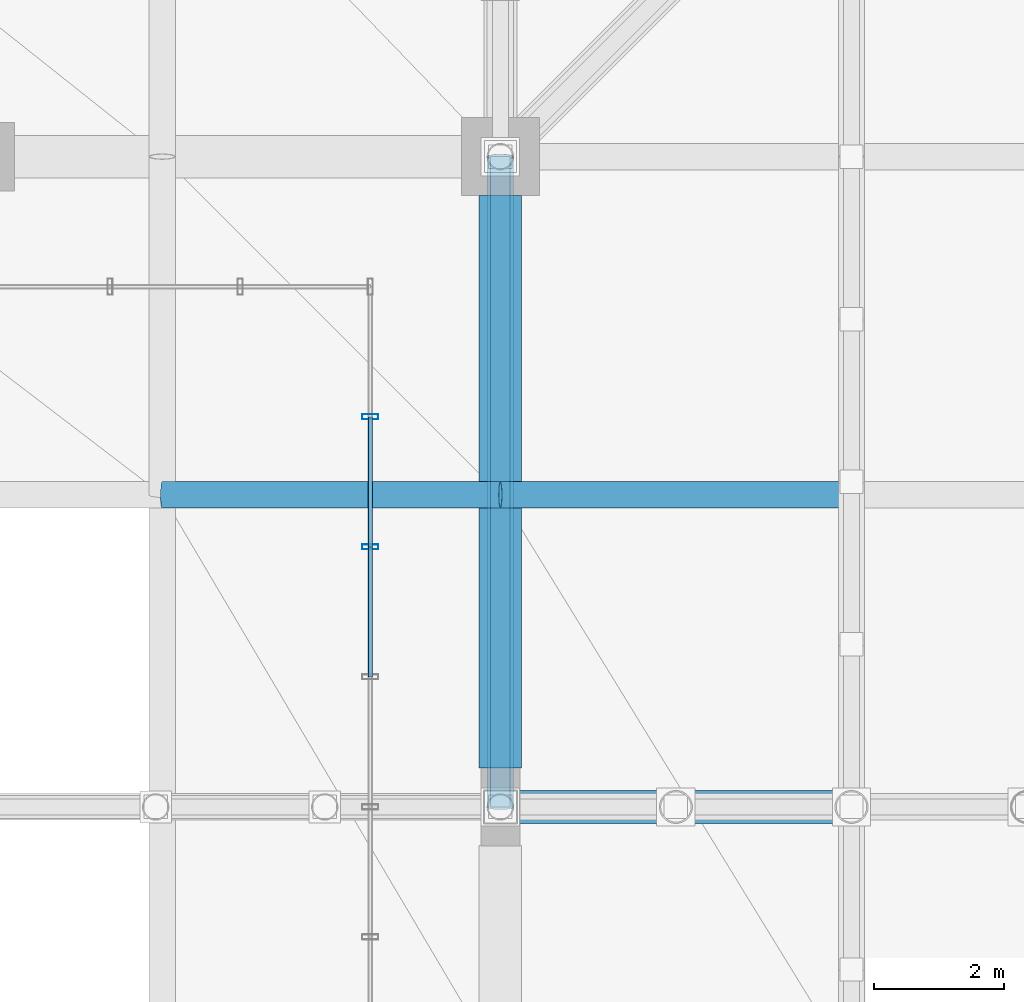
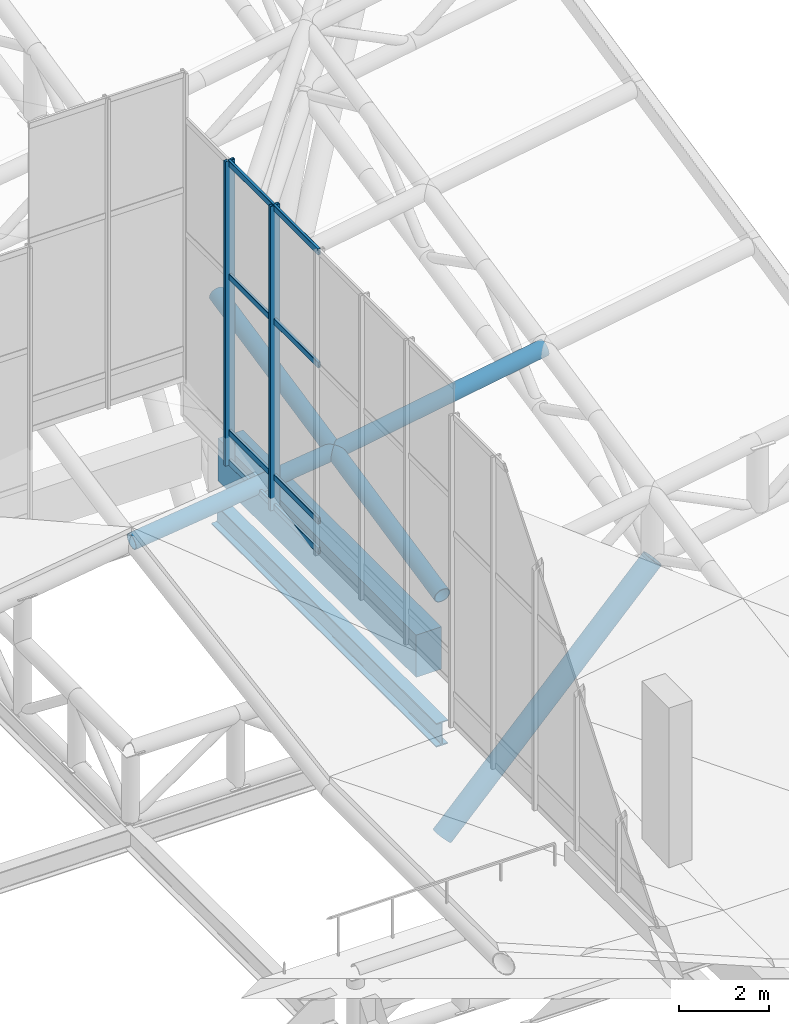
# One storey, part 87 of 137: 14 members, 2 beams, 1 element without a shape of its own.
"""IFC4 building model written with IfcOpenShell, lengths in metres."""

from ifc_helpers import new_model, si_unit, direction, frame, origin, origin_2d, place, context, subcontext, project, spatial, rectangle, hollow_rectangle, hollow_circle, i_section, extrude, material, layer, layer_set, material_profile, profile_set, type_object, element, aggregate, save


model = new_model("IFC4")

# Units and contexts
model_context = context("Model", 3, precision=1e-05, world=origin(), true_north=direction((0.0, 1.0)))
body_context = subcontext(model_context, "Body", "Model", "MODEL_VIEW")
ifc_project = project(units=[si_unit("LENGTHUNIT", "METRE"), si_unit("AREAUNIT", "SQUARE_METRE"), si_unit("VOLUMEUNIT", "CUBIC_METRE"), si_unit("PLANEANGLEUNIT", "RADIAN"), si_unit("MASSUNIT", "GRAM", prefix="KILO")], contexts=[model_context])

# Site, building, storey
site_placement = place(None, origin())
site = spatial("IfcSite", under=ifc_project, at=site_placement, CompositionType="ELEMENT")
building_placement = place(site_placement, origin())
building = spatial("IfcBuilding", under=site, at=building_placement, Name="Khorjan Park Terminus", CompositionType="ELEMENT")
storey_placement = place(building_placement, frame((0.0, 0.0, 11.4)))
storey = spatial("IfcBuildingStorey", under=building, at=storey_placement, Name="L02", CompositionType="ELEMENT", Elevation=11.4)

# Members
ifc_material_1 = material(Name="Steel S355", Category="steel")
ifc_material_profile_1 = material_profile(ifc_material_1, hollow_circle(Radius=0.2032, WallThickness=0.016, at=origin_2d()), Name="CHS 406.4x16")
ifc_profile_set_1 = profile_set([ifc_material_profile_1], Name="Steel S355")
member_type_1 = type_object("IfcMemberType", Name="MB-CH-406", PredefinedType="CHORD", material=ifc_profile_set_1)
member_1_placement = place(storey_placement, frame((130.8, 82.8, 1.6975), z_axis=(0.992378547218, 0.0, 0.123226697681), x_axis=(0.0, 1.0, 0.0)))
element("IfcMember", 1, at=member_1_placement, inside=storey, type_object=member_type_1, Name="Lower wrapping shell rim chord (102)", PredefinedType="CHORD", context=body_context, shape_type="SweptSolid", body=[
    extrude(hollow_circle(Radius=0.2032, WallThickness=0.016, at=origin_2d()), origin(), (0.0, 0.0, 1.0), 5.2399),
])
ifc_material_profile_2 = material_profile(ifc_material_1, hollow_circle(Radius=0.2032, WallThickness=0.016, at=origin_2d()), Name="CHS 406.4x16")
ifc_profile_set_2 = profile_set([ifc_material_profile_2], Name="Steel S355")
member_type_2 = type_object("IfcMemberType", Name="MB-CHE-406", PredefinedType="CHORD", material=ifc_profile_set_2)
member_2_placement = place(storey_placement, frame((136.0, 82.8, 2.3432), z_axis=(0.985913104802, 0.0, 0.167258332465), x_axis=(0.0, 1.0, 0.0)))
element("IfcMember", 2, at=member_2_placement, inside=storey, type_object=member_type_2, Name="Lower wrapping shell rim chord (103)", PredefinedType="CHORD", context=body_context, shape_type="SweptSolid", body=[
    extrude(hollow_circle(Radius=0.2032, WallThickness=0.016, at=origin_2d()), origin(), (0.0, 0.0, 1.0), 5.4772),
])
member_3_placement = place(storey_placement, frame((136.0, 78.0, 1.3242), z_axis=(0.0, 0.978200597368, 0.207662204815), x_axis=(-1.0, 0.0, 0.0)))
element("IfcMember", 3, at=member_3_placement, inside=storey, type_object=member_type_2, Name="Lower wrapping shell rim chord (153)", PredefinedType="CHORD", context=body_context, shape_type="SweptSolid", body=[
    extrude(hollow_circle(Radius=0.2032, WallThickness=0.016, at=origin_2d()), origin(), (0.0, 0.0, 1.0), 10.2229),
])
ifc_material_profile_3 = material_profile(ifc_material_1, hollow_circle(Radius=0.254, WallThickness=0.02, at=origin_2d()), Name="CHS 508x20")
ifc_profile_set_3 = profile_set([ifc_material_profile_3], Name="Steel S355")
member_type_3 = type_object("IfcMemberType", Name="MB-STE-508", PredefinedType="STRUT", material=ifc_profile_set_3)
member_4_placement = place(storey_placement, frame((136.0, 78.0, -5.2), z_axis=(0.691552307244, 0.0, 0.722326384916), x_axis=(0.0, 1.0, 0.0)))
element("IfcMember", 4, at=member_4_placement, inside=storey, type_object=member_type_3, Name="Lower shell W/E raked V-strut STE-51 (E4)", PredefinedType="STRUT", context=body_context, shape_type="SweptSolid", body=[
    extrude(hollow_circle(Radius=0.254, WallThickness=0.02, at=origin_2d()), origin(), (0.0, 0.0, 1.0), 7.8085),
])

# Curtain wall, members
ifc_material_2 = material(Name="Anodized Bronze Aluminium", Category="aluminium")
ifc_layer = layer(ifc_material_2, 0.22)
ifc_layer_set = layer_set([ifc_layer], Name="Anodized Bronze Aluminium")
curtain_wall_type = type_object("IfcCurtainWallType", Name="CW-CONC-CLR", PredefinedType="NOTDEFINED", material=ifc_layer_set)
curtain_wall_placement = place(storey_placement, origin())
curtain_wall = element("IfcCurtainWall", 5, at=curtain_wall_placement, inside=storey, type_object=curtain_wall_type, Name="Unitized curtain wall CW-CL (CW-V2-E-CLR-04)", PredefinedType="NOTDEFINED")
ifc_material_profile_4 = material_profile(ifc_material_2, hollow_rectangle(XDim=0.08, YDim=0.25, WallThickness=0.005, InnerFilletRadius=0.005, OuterFilletRadius=0.01, at=origin_2d()), Name="ALM 80x250x5")
ifc_profile_set_4 = profile_set([ifc_material_profile_4], Name="Anodized Bronze Aluminium")
member_type_4 = type_object("IfcMemberType", Name="ML-ALM-250", PredefinedType="MULLION", material=ifc_profile_set_4)
member_5_placement = place(storey_placement, frame((134.0, 82.0, 1.9528), z_axis=(0.0, 0.0, 1.0), x_axis=(0.0, 1.0, 0.0)))
member_5 = element("IfcMember", 6, at=member_5_placement, type_object=member_type_4, Name="Curtain-wall mullion ML-25 (CW-V2-E-CLR-04-4)", PredefinedType="MULLION", context=body_context, shape_type="SweptSolid", body=[
    extrude(hollow_rectangle(XDim=0.08, YDim=0.25, WallThickness=0.005, InnerFilletRadius=0.005, OuterFilletRadius=0.01, at=origin_2d()), origin(), (0.0, 0.0, 1.0), 8.2632),
])
member_6_placement = place(storey_placement, frame((134.0, 84.0, 1.9528), z_axis=(0.0, 0.0, 1.0), x_axis=(0.0, 1.0, 0.0)))
member_6 = element("IfcMember", 7, at=member_6_placement, type_object=member_type_4, Name="Curtain-wall mullion ML-25 (CW-V2-E-CLR-04-5)", PredefinedType="MULLION", context=body_context, shape_type="SweptSolid", body=[
    extrude(hollow_rectangle(XDim=0.08, YDim=0.25, WallThickness=0.005, InnerFilletRadius=0.005, OuterFilletRadius=0.01, at=origin_2d()), origin(), (0.0, 0.0, 1.0), 8.2632),
])

# Beams
ifc_material_profile_5 = material_profile(ifc_material_1, i_section(OverallWidth=0.3, OverallDepth=0.65, WebThickness=0.016, FlangeThickness=0.031, FilletRadius=0.027, at=origin_2d()), Name="HEB 650")
ifc_profile_set_5 = profile_set([ifc_material_profile_5], Name="Steel S355")
beam_type_1 = type_object("IfcBeamType", Name="SP-HEB650E", PredefinedType="SPANDREL", material=ifc_profile_set_5)
beam_1_placement = place(storey_placement, frame((136.0, 78.0, -2.425), z_axis=(0.0, 1.0, 0.0), x_axis=(-1.0, 0.0, 0.0)))
element("IfcBeam", 8, at=beam_1_placement, inside=storey, type_object=beam_type_1, Name="Lower shell truss support girder SP-E65 (Y45)", PredefinedType="SPANDREL", context=body_context, shape_type="SweptSolid", body=[
    extrude(i_section(OverallWidth=0.3, OverallDepth=0.65, WebThickness=0.016, FlangeThickness=0.031, FilletRadius=0.027, at=origin_2d()), origin(), (0.0, 0.0, 1.0), 10.0),
])
ifc_material_3 = material(Name="Concrete C50/60", Category="concrete")
ifc_material_profile_6 = material_profile(ifc_material_3, rectangle(XDim=0.65, YDim=1.15, at=origin_2d()), Name="RC 650x1150")
ifc_profile_set_6 = profile_set([ifc_material_profile_6], Name="Concrete C50/60")
beam_type_2 = type_object("IfcBeamType", Name="SP-RC650x1150", PredefinedType="SPANDREL", material=ifc_profile_set_6)
beam_2_placement = place(storey_placement, frame((136.0, 78.595, -0.575), z_axis=(0.0, 1.0, 0.0), x_axis=(-1.0, 0.0, 0.0)))
element("IfcBeam", 9, at=beam_2_placement, inside=storey, type_object=beam_type_2, Name="Concourse lower colonnade ring beam SP-11 (L02-72)", PredefinedType="SPANDREL", context=body_context, shape_type="SweptSolid", body=[
    extrude(rectangle(XDim=0.65, YDim=1.15, at=origin_2d()), origin(), (0.0, 0.0, 1.0), 8.81),
])

# Member
ifc_material_profile_7 = material_profile(ifc_material_2, hollow_rectangle(XDim=0.07, YDim=0.16, WallThickness=0.004, InnerFilletRadius=0.004, OuterFilletRadius=0.008, at=origin_2d()), Name="ALT 70x160x4")
ifc_profile_set_7 = profile_set([ifc_material_profile_7], Name="Anodized Bronze Aluminium")
member_type_5 = type_object("IfcMemberType", Name="TR-ALT-160", PredefinedType="USERDEFINED", material=ifc_profile_set_7)
member_7_placement = place(storey_placement, frame((134.0, 80.0, 2.0278), z_axis=(0.0, 1.0, 0.0), x_axis=(-1.0, 0.0, 0.0)))
member_7 = element("IfcMember", 10, at=member_7_placement, type_object=member_type_5, Name="Curtain-wall transom TR-16 (CW-V2-E-CLR-04-3-1)", ObjectType="TRANSOM", PredefinedType="USERDEFINED", context=body_context, shape_type="SweptSolid", body=[
    extrude(hollow_rectangle(XDim=0.07, YDim=0.16, WallThickness=0.004, InnerFilletRadius=0.004, OuterFilletRadius=0.008, at=origin_2d()), origin(), (0.0, 0.0, 1.0), 2.0),
])

member_8_placement = place(storey_placement, frame((134.0, 80.0, 2.8378), z_axis=(0.0, 1.0, 0.0), x_axis=(-1.0, 0.0, 0.0)))
member_8 = element("IfcMember", 11, at=member_8_placement, type_object=member_type_5, Name="Curtain-wall transom TR-16 (CW-V2-E-CLR-04-3-2)", ObjectType="TRANSOM", PredefinedType="USERDEFINED", context=body_context, shape_type="SweptSolid", body=[
    extrude(hollow_rectangle(XDim=0.07, YDim=0.16, WallThickness=0.004, InnerFilletRadius=0.004, OuterFilletRadius=0.008, at=origin_2d()), origin(), (0.0, 0.0, 1.0), 2.0),
])

member_9_placement = place(storey_placement, frame((134.0, 80.0, 7.0676), z_axis=(0.0, 1.0, 0.0), x_axis=(-1.0, 0.0, 0.0)))
member_9 = element("IfcMember", 12, at=member_9_placement, type_object=member_type_5, Name="Curtain-wall transom TR-16 (CW-V2-E-CLR-04-3-3)", ObjectType="TRANSOM", PredefinedType="USERDEFINED", context=body_context, shape_type="SweptSolid", body=[
    extrude(hollow_rectangle(XDim=0.07, YDim=0.16, WallThickness=0.004, InnerFilletRadius=0.004, OuterFilletRadius=0.008, at=origin_2d()), origin(), (0.0, 0.0, 1.0), 2.0),
])

member_10_placement = place(storey_placement, frame((134.0, 80.0, 10.141), z_axis=(0.0, 1.0, 0.0), x_axis=(-1.0, 0.0, 0.0)))
member_10 = element("IfcMember", 13, at=member_10_placement, type_object=member_type_5, Name="Curtain-wall transom TR-16 (CW-V2-E-CLR-04-3-4)", ObjectType="TRANSOM", PredefinedType="USERDEFINED", context=body_context, shape_type="SweptSolid", body=[
    extrude(hollow_rectangle(XDim=0.07, YDim=0.16, WallThickness=0.004, InnerFilletRadius=0.004, OuterFilletRadius=0.008, at=origin_2d()), origin(), (0.0, 0.0, 1.0), 2.0),
])

member_11_placement = place(storey_placement, frame((134.0, 82.0, 2.0278), z_axis=(0.0, 1.0, 0.0), x_axis=(-1.0, 0.0, 0.0)))
member_11 = element("IfcMember", 14, at=member_11_placement, type_object=member_type_5, Name="Curtain-wall transom TR-16 (CW-V2-E-CLR-04-4-1)", ObjectType="TRANSOM", PredefinedType="USERDEFINED", context=body_context, shape_type="SweptSolid", body=[
    extrude(hollow_rectangle(XDim=0.07, YDim=0.16, WallThickness=0.004, InnerFilletRadius=0.004, OuterFilletRadius=0.008, at=origin_2d()), origin(), (0.0, 0.0, 1.0), 2.0),
])

member_12_placement = place(storey_placement, frame((134.0, 82.0, 2.8378), z_axis=(0.0, 1.0, 0.0), x_axis=(-1.0, 0.0, 0.0)))
member_12 = element("IfcMember", 15, at=member_12_placement, type_object=member_type_5, Name="Curtain-wall transom TR-16 (CW-V2-E-CLR-04-4-2)", ObjectType="TRANSOM", PredefinedType="USERDEFINED", context=body_context, shape_type="SweptSolid", body=[
    extrude(hollow_rectangle(XDim=0.07, YDim=0.16, WallThickness=0.004, InnerFilletRadius=0.004, OuterFilletRadius=0.008, at=origin_2d()), origin(), (0.0, 0.0, 1.0), 2.0),
])

member_13_placement = place(storey_placement, frame((134.0, 82.0, 7.0676), z_axis=(0.0, 1.0, 0.0), x_axis=(-1.0, 0.0, 0.0)))
member_13 = element("IfcMember", 16, at=member_13_placement, type_object=member_type_5, Name="Curtain-wall transom TR-16 (CW-V2-E-CLR-04-4-3)", ObjectType="TRANSOM", PredefinedType="USERDEFINED", context=body_context, shape_type="SweptSolid", body=[
    extrude(hollow_rectangle(XDim=0.07, YDim=0.16, WallThickness=0.004, InnerFilletRadius=0.004, OuterFilletRadius=0.008, at=origin_2d()), origin(), (0.0, 0.0, 1.0), 2.0),
])

member_14_placement = place(storey_placement, frame((134.0, 82.0, 10.141), z_axis=(0.0, 1.0, 0.0), x_axis=(-1.0, 0.0, 0.0)))
member_14 = element("IfcMember", 17, at=member_14_placement, type_object=member_type_5, Name="Curtain-wall transom TR-16 (CW-V2-E-CLR-04-4-4)", ObjectType="TRANSOM", PredefinedType="USERDEFINED", context=body_context, shape_type="SweptSolid", body=[
    extrude(hollow_rectangle(XDim=0.07, YDim=0.16, WallThickness=0.004, InnerFilletRadius=0.004, OuterFilletRadius=0.008, at=origin_2d()), origin(), (0.0, 0.0, 1.0), 2.0),
])

aggregate(curtain_wall, [member_5, member_6, member_7, member_8, member_9, member_10, member_11, member_12, member_13, member_14])

save(model, "model.ifc")
